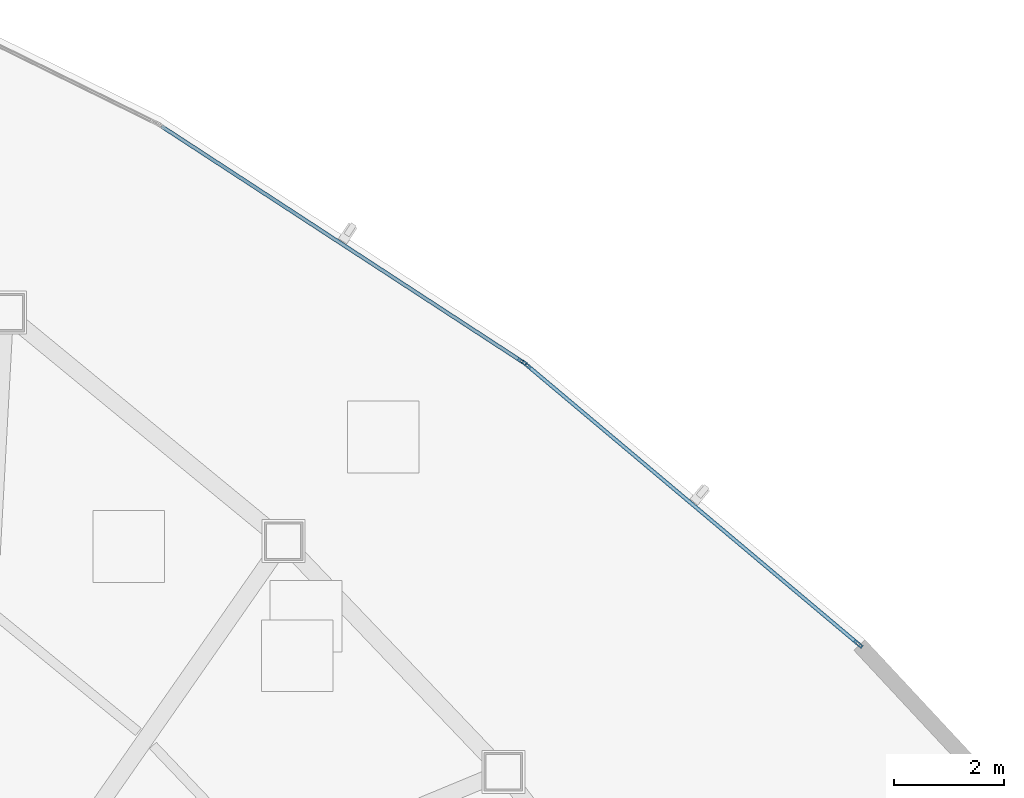
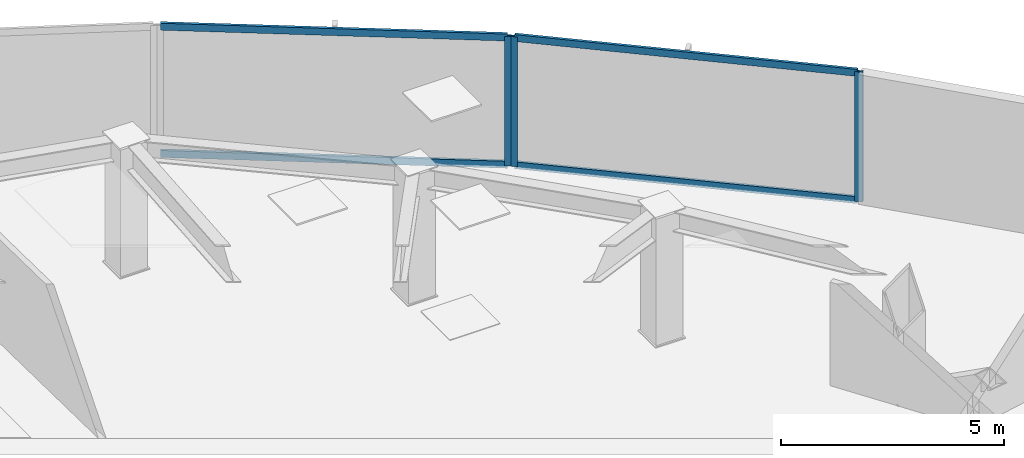
# One storey, part 9 of 17: 7 members, 2 elements without a shape of their own.
"""IFC4 building model written with IfcOpenShell, lengths in metres."""

from ifc_helpers import new_model, si_unit, direction, frame, origin, origin_2d, place, context, subcontext, project, spatial, hollow_rectangle, extrude, source, transform, mapped, material, layer, layer_set, material_profile, profile_set, type_object, type_shapes, element, aggregate, save


model = new_model("IFC4")

# Units and contexts
model_context = context("Model", 3, precision=1e-05, world=origin(), true_north=direction((0.0, 1.0)))
body_context = subcontext(model_context, "Body", "Model", "MODEL_VIEW")
ifc_project = project(units=[si_unit("LENGTHUNIT", "METRE"), si_unit("AREAUNIT", "SQUARE_METRE"), si_unit("VOLUMEUNIT", "CUBIC_METRE"), si_unit("PLANEANGLEUNIT", "RADIAN"), si_unit("MASSUNIT", "GRAM", prefix="KILO")], contexts=[model_context])

# Site, building, storey
site_placement = place(None, origin())
site = spatial("IfcSite", under=ifc_project, at=site_placement, CompositionType="ELEMENT")
building_placement = place(site_placement, origin())
building = spatial("IfcBuilding", under=site, at=building_placement, Name="Tavelor Broadcast Tower", CompositionType="ELEMENT")
storey_placement = place(building_placement, frame((0.0, 0.0, 131.0)))
storey = spatial("IfcBuildingStorey", under=building, at=storey_placement, Name="L30", CompositionType="ELEMENT", Elevation=131.0)

# Curtain wall, members
ifc_material = material(Name="Architectural Anodized Aluminium", Category="aluminium")
ifc_layer = layer(ifc_material, 0.18994140625)
ifc_layer_set = layer_set([ifc_layer], Name="Architectural Anodized Aluminium")
curtain_wall_type = type_object("IfcCurtainWallType", Name="Tower Mid-Zone Acoustic Curtain Wall CW03", PredefinedType="NOTDEFINED", material=ifc_layer_set)
curtain_wall_1_placement = place(storey_placement, origin())
curtain_wall_1 = element("IfcCurtainWall", 1, at=curtain_wall_1_placement, inside=storey, type_object=curtain_wall_type, Name="L30 Curtain Wall CW03 Run 309", PredefinedType="NOTDEFINED")
ifc_material_profile_1 = material_profile(ifc_material, hollow_rectangle(XDim=0.068115234375, YDim=0.18994140625, WallThickness=0.02197265625, at=origin_2d()), Name="RHS 68x190x22")
ifc_profile_set_1 = profile_set([ifc_material_profile_1], Name="Architectural Anodized Aluminium")
member_type_1 = type_object("IfcMemberType", Name="CW03 Extruded Aluminium Mullion 68x190", PredefinedType="MULLION", material=ifc_profile_set_1)
shared_shape_1 = source(origin(), body_context, "Body", "SweptSolid", [
    extrude(hollow_rectangle(XDim=0.068115234375, YDim=0.18994140625, WallThickness=0.02197265625, at=origin_2d()), origin(), (0.0, 0.0, 1.0), 3.550048828125),
])
type_shapes(member_type_1, [shared_shape_1])
member_1_placement = place(storey_placement, frame((72.767333984375, 57.551025390625, 0.0), z_axis=(0.0, 0.0, 1.0), x_axis=(-0.643795467783, -0.765197618699, 0.0)))
member_1 = element("IfcMember", 2, at=member_1_placement, type_object=member_type_1, Name="CW03 mullion 1", PredefinedType="MULLION", context=body_context, shape_type="MappedRepresentation", body=[
    mapped(shared_shape_1, transform((0.0, 0.0, 0.0), scale=1.0)),
])
member_2_placement = place(storey_placement, frame((66.7451171875, 62.61767578125, 0.0), z_axis=(0.0, 0.0, 1.0), x_axis=(-0.643795467783, -0.765197618699, 0.0)))
member_2 = element("IfcMember", 3, at=member_2_placement, type_object=member_type_1, Name="CW03 mullion 2", PredefinedType="MULLION", context=body_context, shape_type="MappedRepresentation", body=[
    mapped(shared_shape_1, transform((0.0, 0.0, 0.0), scale=1.0)),
])

# Curtain wall, member
curtain_wall_2_placement = place(storey_placement, origin())
curtain_wall_2 = element("IfcCurtainWall", 4, at=curtain_wall_2_placement, inside=storey, type_object=curtain_wall_type, Name="L30 Curtain Wall CW03 Run 310", PredefinedType="NOTDEFINED")
member_3_placement = place(storey_placement, frame((66.66650390625, 62.676025390625, 0.0), z_axis=(0.0, 0.0, 1.0), x_axis=(-0.546462575039, -0.837483524663, 0.0)))
member_3 = element("IfcMember", 5, at=member_3_placement, type_object=member_type_1, Name="CW03 mullion 1", PredefinedType="MULLION", context=body_context, shape_type="MappedRepresentation", body=[
    mapped(shared_shape_1, transform((0.0, 0.0, 0.0), scale=1.0)),
])

# Member
ifc_material_profile_2 = material_profile(ifc_material, hollow_rectangle(XDim=0.068115234375, YDim=0.18994140625, WallThickness=0.02197265625, at=origin_2d()), Name="RHS 68x190x22")
ifc_profile_set_2 = profile_set([ifc_material_profile_2], Name="Architectural Anodized Aluminium")
member_type_2 = type_object("IfcMemberType", Name="CW03 Extruded Aluminium Transom 68x190", PredefinedType="USERDEFINED", material=ifc_profile_set_2)
shared_shape_2 = source(origin(), body_context, "Body", "SweptSolid", [
    extrude(hollow_rectangle(XDim=0.068115234375, YDim=0.18994140625, WallThickness=0.02197265625, at=origin_2d()), origin(), (0.0, 0.0, 1.0), 7.8017578125),
])
member_4_placement = place(storey_placement, frame((72.7412109375, 57.572998046875, 0.033935546875), z_axis=(-0.765204064722, 0.643787806139, 0.0), x_axis=(-0.643787806139, -0.765204064722, 0.0)))
member_4 = element("IfcMember", 6, at=member_4_placement, type_object=member_type_2, Name="CW03 transom 1.1", ObjectType="TRANSOM", PredefinedType="USERDEFINED", context=body_context, shape_type="MappedRepresentation", body=[
    mapped(shared_shape_2, transform((0.0, 0.0, 0.0), scale=1.0)),
])

member_5_placement = place(storey_placement, frame((72.7412109375, 57.572998046875, 3.51611328125), z_axis=(-0.765204064722, 0.643787806139, 0.0), x_axis=(-0.643787806139, -0.765204064722, 0.0)))
member_5 = element("IfcMember", 7, at=member_5_placement, type_object=member_type_2, Name="CW03 transom 1.2", ObjectType="TRANSOM", PredefinedType="USERDEFINED", context=body_context, shape_type="MappedRepresentation", body=[
    mapped(shared_shape_2, transform((0.0, 0.0, 0.0), scale=1.0)),
])

aggregate(curtain_wall_1, [member_1, member_2, member_4, member_5])

shared_shape_3 = source(origin(), body_context, "Body", "SweptSolid", [
    extrude(hollow_rectangle(XDim=0.068115234375, YDim=0.18994140625, WallThickness=0.02197265625, at=origin_2d()), origin(), (0.0, 0.0, 1.0), 7.787109375),
])
type_shapes(member_type_2, [shared_shape_2, shared_shape_3])
member_6_placement = place(storey_placement, frame((66.637939453125, 62.694580078125, 0.033935546875), z_axis=(-0.837479592143, 0.546468601791, 0.0), x_axis=(-0.546468601791, -0.837479592143, 0.0)))
member_6 = element("IfcMember", 8, at=member_6_placement, type_object=member_type_2, Name="CW03 transom 1.1", ObjectType="TRANSOM", PredefinedType="USERDEFINED", context=body_context, shape_type="MappedRepresentation", body=[
    mapped(shared_shape_3, transform((0.0, 0.0, 0.0), scale=1.0)),
])

member_7_placement = place(storey_placement, frame((66.637939453125, 62.694580078125, 3.51611328125), z_axis=(-0.837479592143, 0.546468601791, 0.0), x_axis=(-0.546468601791, -0.837479592143, 0.0)))
member_7 = element("IfcMember", 9, at=member_7_placement, type_object=member_type_2, Name="CW03 transom 1.2", ObjectType="TRANSOM", PredefinedType="USERDEFINED", context=body_context, shape_type="MappedRepresentation", body=[
    mapped(shared_shape_3, transform((0.0, 0.0, 0.0), scale=1.0)),
])

aggregate(curtain_wall_2, [member_3, member_6, member_7])

save(model, "model.ifc")
